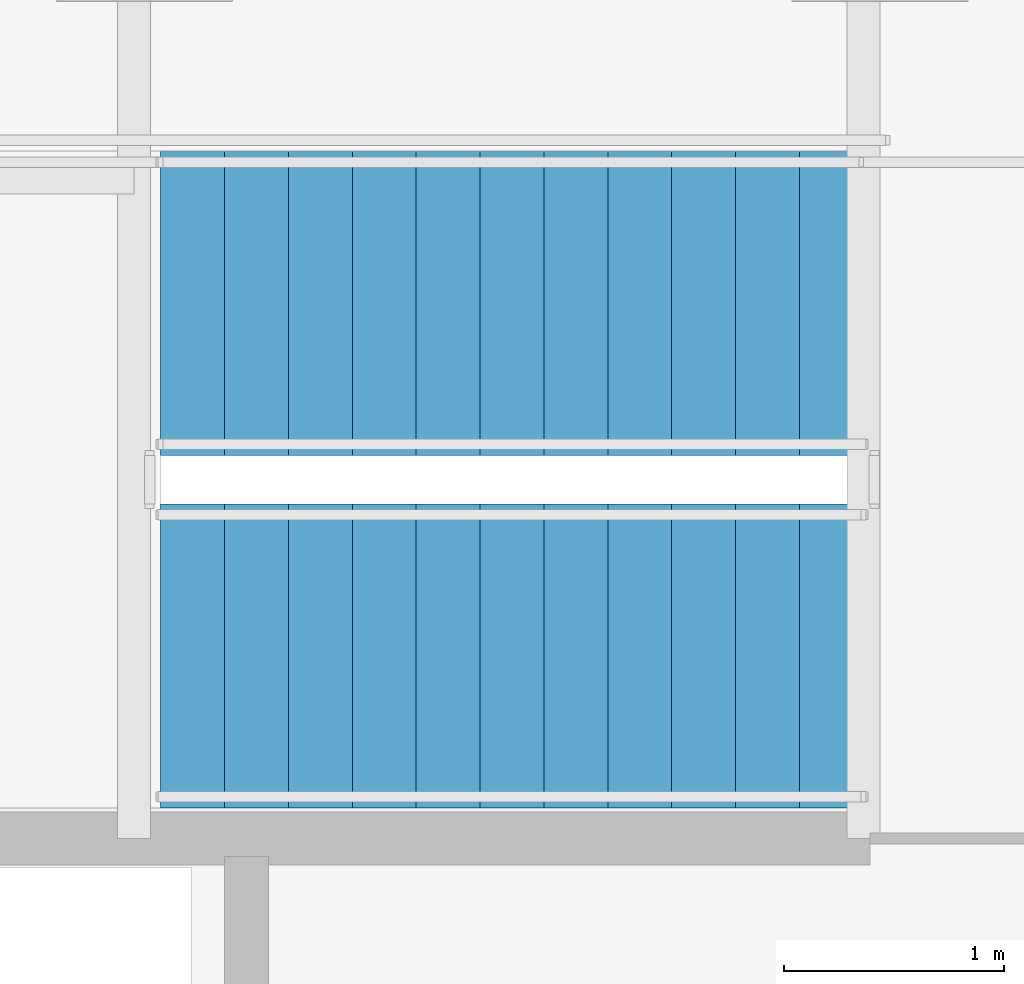
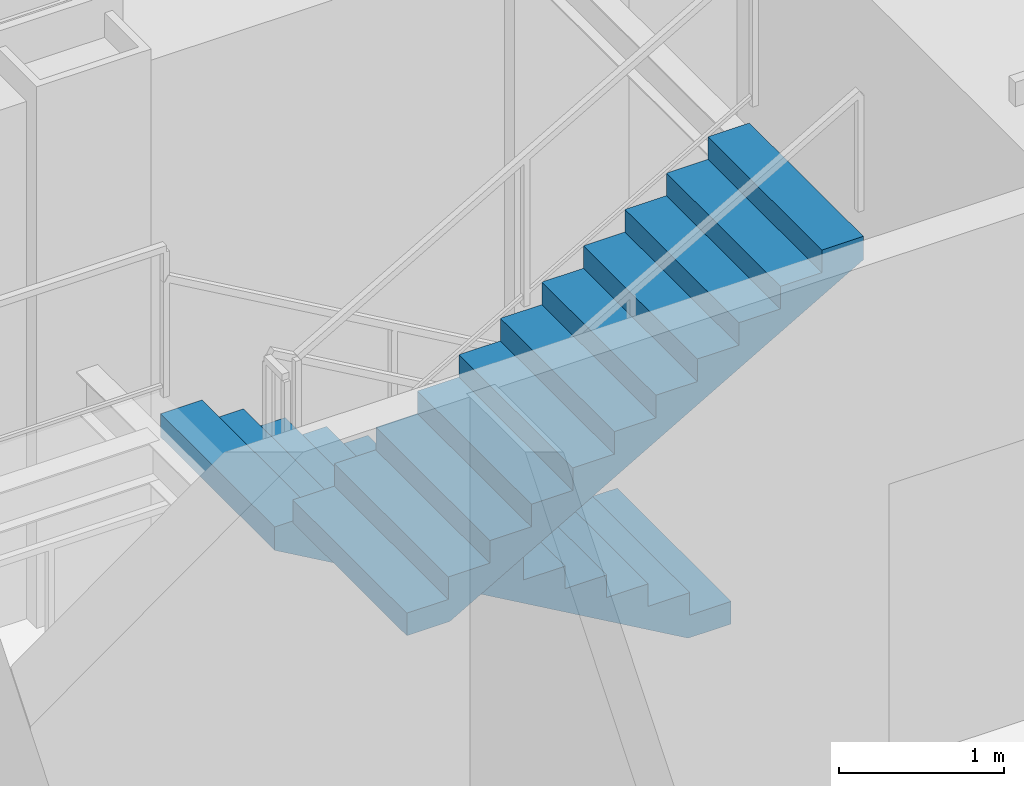
# One storey, part 32 of 35: 2 stair flights, 1 element without a shape of its own.
"""IFC4 building model written with IfcOpenShell, lengths in metres."""

from ifc_helpers import new_model, si_unit, direction, frame, origin, place, context, subcontext, project, spatial, polyline, outline, extrude, material, type_object, element, aggregate, save


model = new_model("IFC4")

# Units and contexts
model_context = context("Model", 3, precision=1e-05, world=origin(), true_north=direction((0.0, 1.0)))
body_context = subcontext(model_context, "Body", "Model", "MODEL_VIEW")
ifc_project = project(units=[si_unit("LENGTHUNIT", "METRE"), si_unit("AREAUNIT", "SQUARE_METRE"), si_unit("VOLUMEUNIT", "CUBIC_METRE"), si_unit("PLANEANGLEUNIT", "RADIAN"), si_unit("MASSUNIT", "GRAM", prefix="KILO")], contexts=[model_context])

# Site, building, storey
site_placement = place(None, origin())
site = spatial("IfcSite", under=ifc_project, at=site_placement, CompositionType="ELEMENT")
building_placement = place(site_placement, origin())
building = spatial("IfcBuilding", under=site, at=building_placement, Name="Khoronbel Lancet Exchange", CompositionType="ELEMENT")
storey_placement = place(building_placement, frame((0.0, 0.0, 69.800048828125)))
storey = spatial("IfcBuildingStorey", under=building, at=storey_placement, Name="L16", CompositionType="ELEMENT", Elevation=69.800048828125)

# Stair, stair flights
ifc_material = material(Name="Concrete C40/50", Category="concrete")
stair_type = type_object("IfcStairType", Name="STR-CORE150", PredefinedType="HALF_TURN_STAIR", material=ifc_material)
stair_placement = place(storey_placement, origin())
stair = element("IfcStair", 1, at=stair_placement, inside=storey, type_object=stair_type, Name="L16 Protected Exit Stair ST2", PredefinedType="HALF_TURN_STAIR")
stair_flight_type = type_object("IfcStairFlightType", Name="STF-150", PredefinedType="STRAIGHT", material=ifc_material)
stair_flight_1_placement = place(storey_placement, frame((54.60009765625, 51.409912109375, 0.0), z_axis=(0.0, 0.0, 1.0), x_axis=(-1.0, 0.0, 0.0)))
stair_flight_1 = element("IfcStairFlight", 2, at=stair_flight_1_placement, type_object=stair_flight_type, Name="ST2 flight 1", NumberOfRisers=12, NumberOfTreads=11, PredefinedType="STRAIGHT", RiserHeight=0.166666667, TreadLength=0.29, context=body_context, shape_type="SweptSolid", body=[
    extrude(outline(polyline([(0.0, 0.0), (0.0, 0.166748046875), (0.2900390625, 0.166748046875), (0.2900390625, 0.333251953125), (0.580078125, 0.333251953125), (0.580078125, 0.5), (0.8701171875, 0.5), (0.8701171875, 0.666748046875), (1.159912109375, 0.666748046875), (1.159912109375, 0.833251953125), (1.449951171875, 0.833251953125), (1.449951171875, 1.0), (1.739990234375, 1.0), (1.739990234375, 1.166748046875), (2.030029296875, 1.166748046875), (2.030029296875, 1.333251953125), (2.320068359375, 1.333251953125), (2.320068359375, 1.5), (2.610107421875, 1.5), (2.610107421875, 1.666748046875), (2.89990234375, 1.666748046875), (2.89990234375, 1.833251953125), (3.18994140625, 1.833251953125), (3.18994140625, 2.0), (3.18994140625, 1.660400390625), (0.30078125, 0.0), (0.0, 0.0)])), frame((0.0, 0.68994140625, 0.0), z_axis=(0.0, -1.0, 0.0), x_axis=(1.0, 0.0, 0.0)), (0.0, 0.0, 1.0), 1.3798828125),
])
stair_flight_2_placement = place(storey_placement, frame((51.409912109375, 49.81005859375, 2.0), z_axis=(0.0, 0.0, 1.0), x_axis=(1.0, 0.0, 0.0)))
stair_flight_2 = element("IfcStairFlight", 3, at=stair_flight_2_placement, type_object=stair_flight_type, Name="ST2 flight 2", NumberOfRisers=12, NumberOfTreads=11, PredefinedType="STRAIGHT", RiserHeight=0.166666667, TreadLength=0.29, context=body_context, shape_type="SweptSolid", body=[
    extrude(outline(polyline([(0.0, 0.0), (0.0, 0.166748046875), (0.2900390625, 0.166748046875), (0.2900390625, 0.333251953125), (0.580078125, 0.333251953125), (0.580078125, 0.5), (0.8701171875, 0.5), (0.8701171875, 0.666748046875), (1.159912109375, 0.666748046875), (1.159912109375, 0.833251953125), (1.449951171875, 0.833251953125), (1.449951171875, 1.0), (1.739990234375, 1.0), (1.739990234375, 1.166748046875), (2.030029296875, 1.166748046875), (2.030029296875, 1.333251953125), (2.320068359375, 1.333251953125), (2.320068359375, 1.5), (2.610107421875, 1.5), (2.610107421875, 1.666748046875), (2.89990234375, 1.666748046875), (2.89990234375, 1.833251953125), (3.18994140625, 1.833251953125), (3.18994140625, 2.0), (3.18994140625, 1.660400390625), (0.30078125, 0.0), (0.0, 0.0)])), frame((0.0, 0.68994140625, 0.0), z_axis=(0.0, -1.0, 0.0), x_axis=(1.0, 0.0, 0.0)), (0.0, 0.0, 1.0), 1.3798828125),
])
aggregate(stair, [stair_flight_1, stair_flight_2])

save(model, "model.ifc")
